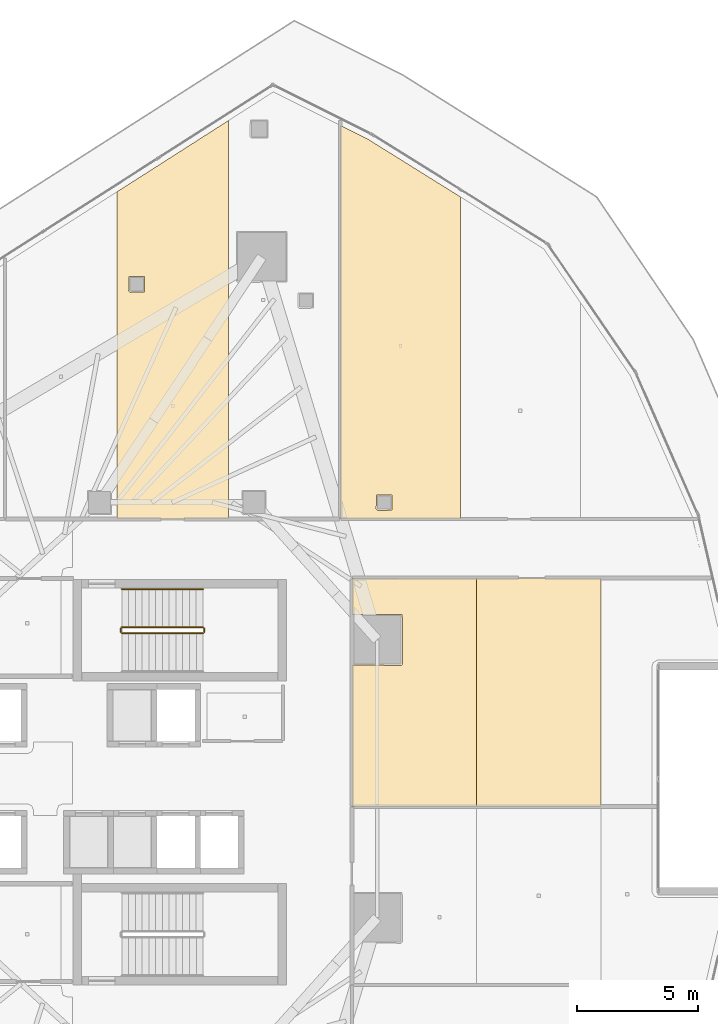
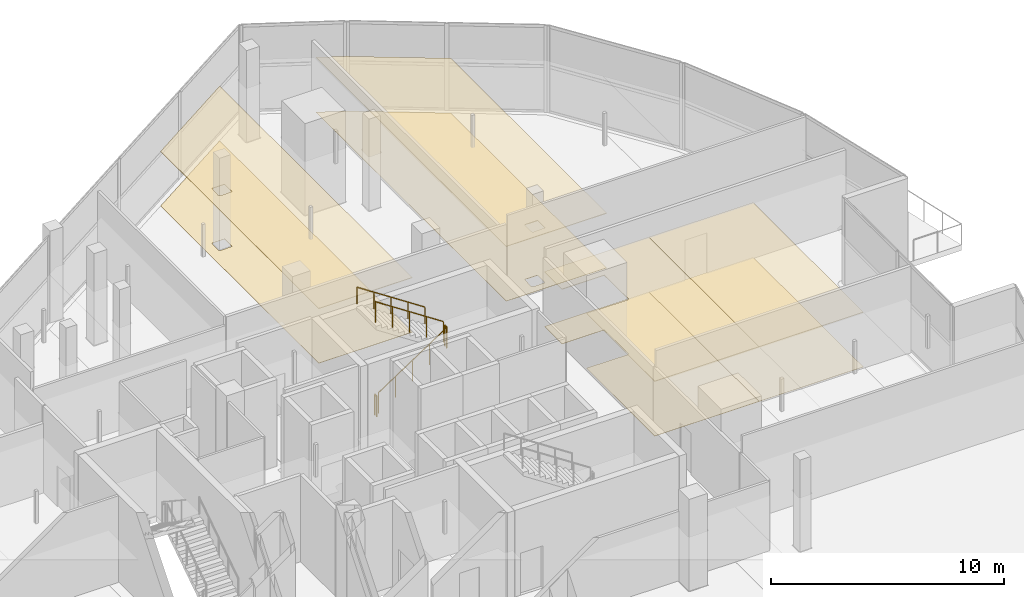
# One storey, part 34 of 36: 8 coverings, 5 railings.
"""IFC4 building model written with IfcOpenShell, lengths in metres."""

from ifc_helpers import new_model, si_unit, direction, frame, origin, origin_2d, place, context, subcontext, project, spatial, polyline, circle, outline, extrude, material, layer, layer_set, type_object, element, save


model = new_model("IFC4")

# Units and contexts
model_context = context("Model", 3, precision=1e-05, world=origin(), true_north=direction((0.0, 1.0)))
body_context = subcontext(model_context, "Body", "Model", "MODEL_VIEW")
ifc_project = project(units=[si_unit("LENGTHUNIT", "METRE"), si_unit("AREAUNIT", "SQUARE_METRE"), si_unit("VOLUMEUNIT", "CUBIC_METRE"), si_unit("PLANEANGLEUNIT", "RADIAN"), si_unit("MASSUNIT", "GRAM", prefix="KILO")], contexts=[model_context])

# Site, building, storey
site_placement = place(None, origin())
site = spatial("IfcSite", under=ifc_project, at=site_placement, CompositionType="ELEMENT")
building_placement = place(site_placement, origin())
building = spatial("IfcBuilding", under=site, at=building_placement, Name="Qorvath Tower", CompositionType="ELEMENT")
storey_placement = place(building_placement, frame((0.0, 0.0, 180.0)))
storey = spatial("IfcBuildingStorey", under=building, at=storey_placement, Name="L41", CompositionType="ELEMENT", Elevation=180.0)

# Coverings
ifc_material_1 = material(Name="Acoustic mineral fibre ceiling tile", Category="gypsum")
ifc_layer_1 = layer(ifc_material_1, 0.030029296875)
ifc_layer_set_1 = layer_set([ifc_layer_1], Name="COV-CEIL")
covering_type_1 = type_object("IfcCoveringType", Name="COV-CEIL", PredefinedType="CEILING", material=ifc_layer_set_1)
covering_1_placement = place(storey_placement, frame((0.0, 0.0, 2.85009765625)))
element("IfcCovering", 1, at=covering_1_placement, inside=storey, type_object=covering_type_1, Name="L41 Suspended Acoustic Ceiling 014", PredefinedType="CEILING", context=body_context, shape_type="SweptSolid", body=[
    extrude(outline(polyline([(-22.880859375, 24.318359375), (-22.880859375, 10.762939453125), (-18.25439453125, 10.762939453125), (-18.25439453125, 27.275146484375), (-22.880859375, 24.318359375)]), holes=[polyline([(-22.38818359375, 20.219970703125), (-22.37060546875, 20.812255859375), (-21.73583984375, 20.812255859375), (-21.73583984375, 20.177490234375), (-22.328125, 20.159912109375), (-22.38818359375, 20.219970703125)])]), origin(), (0.0, 0.0, 1.0), 0.030029296875),
])
covering_2_placement = place(storey_placement, frame((0.0, 0.0, 2.85009765625)))
element("IfcCovering", 2, at=covering_2_placement, inside=storey, type_object=covering_type_1, Name="L41 Suspended Acoustic Ceiling 016", PredefinedType="CEILING", context=body_context, shape_type="SweptSolid", body=[
    extrude(outline(polyline([(-8.641845703125, 10.762939453125), (-8.641845703125, 24.111083984375), (-12.432861328125, 26.476318359375), (-13.60986328125, 27.06494140625), (-13.60986328125, 10.762939453125), (-8.641845703125, 10.762939453125)]), holes=[polyline([(-12.135009765625, 11.175048828125), (-12.117431640625, 11.767333984375), (-11.482666015625, 11.767333984375), (-11.482666015625, 11.132568359375), (-12.074951171875, 11.114990234375), (-12.135009765625, 11.175048828125)])]), origin(), (0.0, 0.0, 1.0), 0.030029296875),
])
covering_3_placement = place(storey_placement, frame((0.0, 0.0, 2.85009765625)))
element("IfcCovering", 3, at=covering_3_placement, inside=storey, type_object=covering_type_1, Name="L41 Suspended Acoustic Ceiling 025", PredefinedType="CEILING", context=body_context, shape_type="SweptSolid", body=[
    extrude(outline(polyline([(-7.976806640625, -1.140380859375), (-7.976806640625, 8.312744140625), (-13.136962890625, 8.306884765625), (-13.136962890625, 6.80126953125), (-11.054443359375, 6.80029296875), (-11.036865234375, 4.7578125), (-11.0966796875, 4.697998046875), (-13.136962890625, 4.714599609375), (-13.136962890625, -1.140380859375), (-7.976806640625, -1.140380859375)])), origin(), (0.0, 0.0, 1.0), 0.030029296875),
])
covering_4_placement = place(storey_placement, frame((0.0, 0.0, 2.85009765625)))
element("IfcCovering", 4, at=covering_4_placement, inside=storey, type_object=covering_type_1, Name="L41 Suspended Acoustic Ceiling 026", PredefinedType="CEILING", context=body_context, shape_type="SweptSolid", body=[
    extrude(outline(polyline([(-2.81640625, -1.140380859375), (-2.81640625, 8.318359375), (-7.976806640625, 8.312744140625), (-7.976806640625, -1.140380859375), (-2.81640625, -1.140380859375)])), origin(), (0.0, 0.0, 1.0), 0.030029296875),
])
ifc_material_2 = material(Name="Low-VOC modular carpet tile", Category="textile")
ifc_layer_2 = layer(ifc_material_2, 0.014892578125)
ifc_layer_set_2 = layer_set([ifc_layer_2], Name="COV-FLOOR-CPT")
covering_type_2 = type_object("IfcCoveringType", Name="COV-FLOOR-CPT", PredefinedType="FLOORING", material=ifc_layer_set_2)
covering_5_placement = place(storey_placement, origin())
element("IfcCovering", 5, at=covering_5_placement, inside=storey, type_object=covering_type_2, Name="L41 Floor Finish 014", PredefinedType="FLOORING", context=body_context, shape_type="SweptSolid", body=[
    extrude(outline(polyline([(-22.880859375, 24.318359375), (-22.880859375, 10.762939453125), (-18.25439453125, 10.762939453125), (-18.25439453125, 27.275146484375), (-22.880859375, 24.318359375)]), holes=[polyline([(-22.38818359375, 20.219970703125), (-22.37060546875, 20.812255859375), (-21.73583984375, 20.812255859375), (-21.73583984375, 20.177490234375), (-22.328125, 20.159912109375), (-22.38818359375, 20.219970703125)])]), origin(), (0.0, 0.0, 1.0), 0.014892578125),
])
covering_6_placement = place(storey_placement, origin())
element("IfcCovering", 6, at=covering_6_placement, inside=storey, type_object=covering_type_2, Name="L41 Floor Finish 016", PredefinedType="FLOORING", context=body_context, shape_type="SweptSolid", body=[
    extrude(outline(polyline([(-8.641845703125, 10.762939453125), (-8.641845703125, 24.111083984375), (-12.432861328125, 26.476318359375), (-13.60986328125, 27.06494140625), (-13.60986328125, 10.762939453125), (-8.641845703125, 10.762939453125)]), holes=[polyline([(-12.135009765625, 11.175048828125), (-12.117431640625, 11.767333984375), (-11.482666015625, 11.767333984375), (-11.482666015625, 11.132568359375), (-12.074951171875, 11.114990234375), (-12.135009765625, 11.175048828125)])]), origin(), (0.0, 0.0, 1.0), 0.014892578125),
])
covering_7_placement = place(storey_placement, origin())
element("IfcCovering", 7, at=covering_7_placement, inside=storey, type_object=covering_type_2, Name="L41 Floor Finish 025", PredefinedType="FLOORING", context=body_context, shape_type="SweptSolid", body=[
    extrude(outline(polyline([(-7.976806640625, -1.140380859375), (-7.976806640625, 8.312744140625), (-13.136962890625, 8.306884765625), (-13.136962890625, 6.80126953125), (-11.054443359375, 6.80029296875), (-11.036865234375, 4.7578125), (-11.0966796875, 4.697998046875), (-13.136962890625, 4.714599609375), (-13.136962890625, -1.140380859375), (-7.976806640625, -1.140380859375)])), origin(), (0.0, 0.0, 1.0), 0.014892578125),
])
covering_8_placement = place(storey_placement, origin())
element("IfcCovering", 8, at=covering_8_placement, inside=storey, type_object=covering_type_2, Name="L41 Floor Finish 026", PredefinedType="FLOORING", context=body_context, shape_type="SweptSolid", body=[
    extrude(outline(polyline([(-2.81640625, -1.140380859375), (-2.81640625, 8.318359375), (-7.976806640625, 8.312744140625), (-7.976806640625, -1.140380859375), (-2.81640625, -1.140380859375)])), origin(), (0.0, 0.0, 1.0), 0.014892578125),
])

# Railings
ifc_material_3 = material(Name="Painted galvanised steel", Category="steel")
railing_type_1 = type_object("IfcRailingType", Name="RL-STR-GRD", PredefinedType="GUARDRAIL", material=ifc_material_3)
railing_1_placement = place(storey_placement, frame((-22.669921875, 6.030029296875, 0.1845703125)))
element("IfcRailing", 9, at=railing_1_placement, inside=storey, type_object=railing_type_1, Name="L41 TS1 stair guard 1", PredefinedType="GUARDRAIL", context=body_context, shape_type="SweptSolid", body=[
    extrude(circle(Radius=0.02392578125, at=origin_2d()), frame((0.0, 0.0, 1.076171875), z_axis=(0.834858096282, 0.0, 0.550465220583), x_axis=(0.0, 1.0, 0.0)), (0.0, 0.0, 1.0), 4.0244140625),
    extrude(circle(Radius=0.02099609375, at=origin_2d()), origin(), (0.0, 0.0, 1.0), 1.052001953125),
    extrude(circle(Radius=0.02099609375, at=origin_2d()), frame((0.83984375, 0.0, 0.5537109375)), (0.0, 0.0, 1.0), 1.052001953125),
    extrude(circle(Radius=0.02099609375, at=origin_2d()), frame((1.679931640625, 0.0, 1.107666015625)), (0.0, 0.0, 1.0), 1.052001953125),
    extrude(circle(Radius=0.02099609375, at=origin_2d()), frame((2.52001953125, 0.0, 1.66162109375)), (0.0, 0.0, 1.0), 1.052001953125),
    extrude(circle(Radius=0.02099609375, at=origin_2d()), frame((3.35986328125, 0.0, 2.21533203125)), (0.0, 0.0, 1.0), 1.052001953125),
])
railing_2_placement = place(storey_placement, frame((-19.260009765625, 6.080078125, 2.39990234375)))
element("IfcRailing", 10, at=railing_2_placement, inside=storey, type_object=railing_type_1, Name="L41 TS1 stair guard 2", PredefinedType="GUARDRAIL", context=body_context, shape_type="SweptSolid", body=[
    extrude(circle(Radius=0.02392578125, at=origin_2d()), frame((0.0, 0.0, 1.076171875), z_axis=(0.0, 1.0, 0.0), x_axis=(-1.0, 0.0, 0.0)), (0.0, 0.0, 1.0), 0.14990234375),
    extrude(circle(Radius=0.02099609375, at=origin_2d()), origin(), (0.0, 0.0, 1.0), 1.052001953125),
    extrude(circle(Radius=0.02099609375, at=origin_2d()), frame((0.0, 0.14990234375, 0.0)), (0.0, 0.0, 1.0), 1.052001953125),
])
railing_3_placement = place(storey_placement, frame((-19.31005859375, 6.280029296875, 2.584716796875)))
element("IfcRailing", 11, at=railing_3_placement, inside=storey, type_object=railing_type_1, Name="L41 TS1 stair guard 3", PredefinedType="GUARDRAIL", context=body_context, shape_type="SweptSolid", body=[
    extrude(circle(Radius=0.02392578125, at=origin_2d()), frame((0.0, 0.0, 1.076171875), z_axis=(-0.834858096282, 0.0, 0.550465220583), x_axis=(0.0, -1.0, 0.0)), (0.0, 0.0, 1.0), 4.0244140625),
    extrude(circle(Radius=0.02099609375, at=origin_2d()), origin(), (0.0, 0.0, 1.0), 1.052001953125),
    extrude(circle(Radius=0.02099609375, at=origin_2d()), frame((-0.83984375, 0.0, 0.5537109375)), (0.0, 0.0, 1.0), 1.052001953125),
    extrude(circle(Radius=0.02099609375, at=origin_2d()), frame((-1.679931640625, 0.0, 1.107666015625)), (0.0, 0.0, 1.0), 1.052001953125),
    extrude(circle(Radius=0.02099609375, at=origin_2d()), frame((-2.52001953125, 0.0, 1.66162109375)), (0.0, 0.0, 1.0), 1.052001953125),
    extrude(circle(Radius=0.02099609375, at=origin_2d()), frame((-3.35986328125, 0.0, 2.21533203125)), (0.0, 0.0, 1.0), 1.052001953125),
])
railing_4_placement = place(storey_placement, frame((-22.719970703125, 6.080078125, 0.0)))
element("IfcRailing", 12, at=railing_4_placement, inside=storey, type_object=railing_type_1, Name="L41 TS1 stair guard 4", PredefinedType="GUARDRAIL", context=body_context, shape_type="SweptSolid", body=[
    extrude(circle(Radius=0.02392578125, at=origin_2d()), frame((0.0, 0.0, 1.076171875), z_axis=(0.0, 1.0, 0.0), x_axis=(-1.0, 0.0, 0.0)), (0.0, 0.0, 1.0), 0.14990234375),
    extrude(circle(Radius=0.02099609375, at=origin_2d()), origin(), (0.0, 0.0, 1.0), 1.052001953125),
    extrude(circle(Radius=0.02099609375, at=origin_2d()), frame((0.0, 0.14990234375, 0.0)), (0.0, 0.0, 1.0), 1.052001953125),
])
ifc_material_4 = material(Name="Brushed stainless steel AISI 304", Category="steel")
railing_type_2 = type_object("IfcRailingType", Name="RL-STR-HND", PredefinedType="HANDRAIL", material=ifc_material_4)
railing_5_placement = place(storey_placement, frame((-19.31005859375, 7.860107421875, 2.584716796875)))
element("IfcRailing", 13, at=railing_5_placement, inside=storey, type_object=railing_type_2, Name="L41 TS1 stair handrail 2", PredefinedType="HANDRAIL", context=body_context, shape_type="SweptSolid", body=[
    extrude(circle(Radius=0.02392578125, at=origin_2d()), frame((0.0, 0.0, 0.8759765625), z_axis=(-0.834858096282, 0.0, 0.550465220583), x_axis=(0.0, -1.0, 0.0)), (0.0, 0.0, 1.0), 4.0244140625),
    extrude(circle(Radius=0.02099609375, at=origin_2d()), origin(), (0.0, 0.0, 1.0), 0.851806640625),
    extrude(circle(Radius=0.02099609375, at=origin_2d()), frame((-0.83984375, 0.0, 0.5537109375)), (0.0, 0.0, 1.0), 0.851806640625),
    extrude(circle(Radius=0.02099609375, at=origin_2d()), frame((-1.679931640625, 0.0, 1.107666015625)), (0.0, 0.0, 1.0), 0.851806640625),
    extrude(circle(Radius=0.02099609375, at=origin_2d()), frame((-2.52001953125, 0.0, 1.66162109375)), (0.0, 0.0, 1.0), 0.851806640625),
    extrude(circle(Radius=0.02099609375, at=origin_2d()), frame((-3.35986328125, 0.0, 2.21533203125)), (0.0, 0.0, 1.0), 0.851806640625),
])

save(model, "model.ifc")
